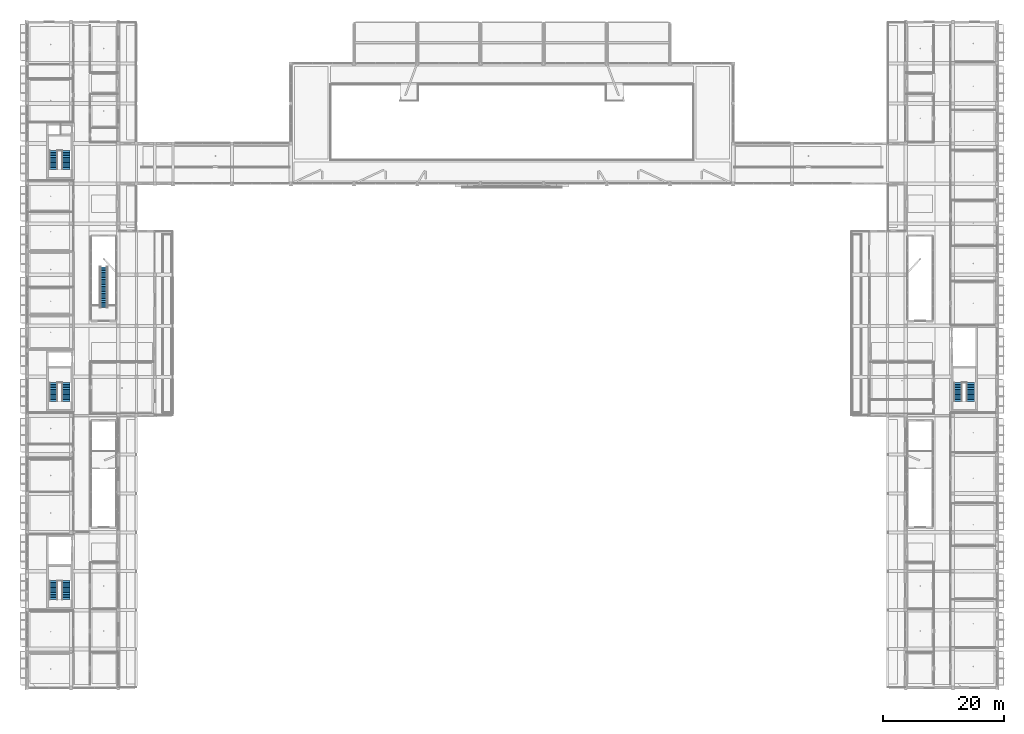
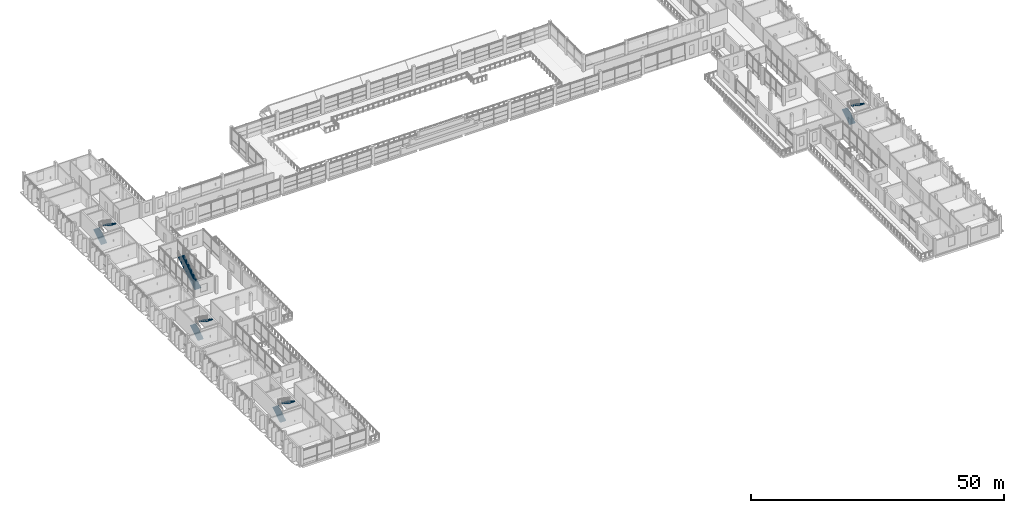
# One storey, part 56 of 85: 9 stair flights, 5 elements without a shape of their own.
"""IFC4 building model written with IfcOpenShell, lengths in metres."""

from ifc_helpers import new_model, si_unit, derived_unit, direction, frame, origin, place, context, subcontext, project, spatial, polyline, outline, extrude, material, type_object, element, aggregate, save


model = new_model("IFC4")

# Units and contexts
model_context = context("Model", 3, precision=1e-05, world=origin(), true_north=direction((0.0, 1.0)))
body_context = subcontext(model_context, "Body", "Model", "MODEL_VIEW")
ifc_project = project(units=[si_unit("LENGTHUNIT", "METRE"), si_unit("AREAUNIT", "SQUARE_METRE"), si_unit("VOLUMEUNIT", "CUBIC_METRE"), si_unit("PLANEANGLEUNIT", "RADIAN"), si_unit("MASSUNIT", "GRAM", prefix="KILO"), derived_unit("THERMALTRANSMITTANCEUNIT", [(si_unit("POWERUNIT", "WATT"), 1), (si_unit("LENGTHUNIT", "METRE"), -2), (si_unit("THERMODYNAMICTEMPERATUREUNIT", "KELVIN"), -1)])], contexts=[model_context])

# Site, building, storey
site_placement = place(None, origin())
site = spatial("IfcSite", under=ifc_project, at=site_placement, CompositionType="ELEMENT")
building_placement = place(site_placement, origin())
building = spatial("IfcBuilding", under=site, at=building_placement, Name="Braskholm Square Health Centre", CompositionType="ELEMENT")
storey_placement = place(building_placement, frame((0.0, 0.0, 9.300048828125)))
storey = spatial("IfcBuildingStorey", under=building, at=storey_placement, Name="L03", CompositionType="ELEMENT", Elevation=9.300048828125)

# Stair, stair flights
ifc_material = material(Name="Concrete C35/45 (f'c = 35 MPa)", Category="concrete")
stair_type_1 = type_object("IfcStairType", Name="ExitReturnStairL03", PredefinedType="HALF_TURN_STAIR", material=ifc_material)
stair_1_placement = place(storey_placement, origin())
stair_1 = element("IfcStair", 1, at=stair_1_placement, inside=storey, type_object=stair_type_1, Name="Enclosed exit stair ST-01 L03 to L04", PredefinedType="HALF_TURN_STAIR")
stair_flight_type_1 = type_object("IfcStairFlightType", Name="ExitStairFlightL03", PredefinedType="STRAIGHT", material=ifc_material)
stair_flight_1_placement = place(storey_placement, frame((8.510009765625, 18.760009765625, 0.0), z_axis=(0.0, 0.0, 1.0), x_axis=(0.0, 1.0, 0.0)))
stair_flight_1 = element("IfcStairFlight", 2, at=stair_flight_1_placement, type_object=stair_flight_type_1, Name="Stair ST-01 lower flight L03", NumberOfRisers=12, NumberOfTreads=11, PredefinedType="STRAIGHT", RiserHeight=0.175, TreadLength=0.28, context=body_context, shape_type="SweptSolid", body=[
    extrude(outline(polyline([(0.0, 0.0), (0.0, 0.175048828125), (0.280029296875, 0.175048828125), (0.280029296875, 0.35009765625), (0.56005859375, 0.35009765625), (0.56005859375, 0.52490234375), (0.840087890625, 0.52490234375), (0.840087890625, 0.699951171875), (1.1201171875, 0.699951171875), (1.1201171875, 0.875), (1.39990234375, 0.875), (1.39990234375, 1.050048828125), (1.679931640625, 1.050048828125), (1.679931640625, 1.22509765625), (1.9599609375, 1.22509765625), (1.9599609375, 1.39990234375), (2.239990234375, 1.39990234375), (2.239990234375, 1.574951171875), (2.52001953125, 1.574951171875), (2.52001953125, 1.75), (2.800048828125, 1.75), (2.800048828125, 1.925048828125), (3.080078125, 1.925048828125), (3.080078125, 2.10009765625), (3.080078125, 1.736328125), (0.3017578125, 0.0), (0.0, 0.0)])), frame((0.0, 0.66015625, 0.0), z_axis=(0.0, -1.0, 0.0), x_axis=(1.0, 0.0, 0.0)), (0.0, 0.0, 1.0), 1.320068359375),
])
stair_flight_2_placement = place(storey_placement, frame((10.590087890625, 21.840087890625, 2.099853515625), z_axis=(0.0, 0.0, 1.0), x_axis=(0.0, -1.0, 0.0)))
stair_flight_2 = element("IfcStairFlight", 3, at=stair_flight_2_placement, type_object=stair_flight_type_1, Name="Stair ST-01 upper flight L03", NumberOfRisers=12, NumberOfTreads=11, PredefinedType="STRAIGHT", RiserHeight=0.175, TreadLength=0.28, context=body_context, shape_type="SweptSolid", body=[
    extrude(outline(polyline([(0.0, 0.0), (0.0, 0.175048828125), (0.280029296875, 0.175048828125), (0.280029296875, 0.35009765625), (0.56005859375, 0.35009765625), (0.56005859375, 0.52490234375), (0.840087890625, 0.52490234375), (0.840087890625, 0.699951171875), (1.1201171875, 0.699951171875), (1.1201171875, 0.875), (1.39990234375, 0.875), (1.39990234375, 1.050048828125), (1.679931640625, 1.050048828125), (1.679931640625, 1.22509765625), (1.9599609375, 1.22509765625), (1.9599609375, 1.39990234375), (2.239990234375, 1.39990234375), (2.239990234375, 1.574951171875), (2.52001953125, 1.574951171875), (2.52001953125, 1.75), (2.800048828125, 1.75), (2.800048828125, 1.925048828125), (3.080078125, 1.925048828125), (3.080078125, 2.10009765625), (3.080078125, 1.736328125), (0.3017578125, 0.0), (0.0, 0.0)])), frame((0.0, 0.66015625, 0.0), z_axis=(0.0, -1.0, 0.0), x_axis=(1.0, 0.0, 0.0)), (0.0, 0.0, 1.0), 1.320068359375),
])
aggregate(stair_1, [stair_flight_1, stair_flight_2])

stair_2_placement = place(storey_placement, origin())
stair_2 = element("IfcStair", 4, at=stair_2_placement, inside=storey, type_object=stair_type_1, Name="Enclosed exit stair ST-02 L03 to L04", PredefinedType="HALF_TURN_STAIR")
stair_flight_3_placement = place(storey_placement, frame((8.510009765625, 51.360107421875, 0.0), z_axis=(0.0, 0.0, 1.0), x_axis=(0.0, 1.0, 0.0)))
stair_flight_3 = element("IfcStairFlight", 5, at=stair_flight_3_placement, type_object=stair_flight_type_1, Name="Stair ST-02 lower flight L03", NumberOfRisers=12, NumberOfTreads=11, PredefinedType="STRAIGHT", RiserHeight=0.175, TreadLength=0.28, context=body_context, shape_type="SweptSolid", body=[
    extrude(outline(polyline([(0.0, 0.0), (0.0, 0.175048828125), (0.280029296875, 0.175048828125), (0.280029296875, 0.35009765625), (0.56005859375, 0.35009765625), (0.56005859375, 0.52490234375), (0.840087890625, 0.52490234375), (0.840087890625, 0.699951171875), (1.1201171875, 0.699951171875), (1.1201171875, 0.875), (1.39990234375, 0.875), (1.39990234375, 1.050048828125), (1.679931640625, 1.050048828125), (1.679931640625, 1.22509765625), (1.9599609375, 1.22509765625), (1.9599609375, 1.39990234375), (2.239990234375, 1.39990234375), (2.239990234375, 1.574951171875), (2.52001953125, 1.574951171875), (2.52001953125, 1.75), (2.800048828125, 1.75), (2.800048828125, 1.925048828125), (3.080078125, 1.925048828125), (3.080078125, 2.10009765625), (3.080078125, 1.736328125), (0.3017578125, 0.0), (0.0, 0.0)])), frame((0.0, 0.66015625, 0.0), z_axis=(0.0, -1.0, 0.0), x_axis=(1.0, 0.0, 0.0)), (0.0, 0.0, 1.0), 1.320068359375),
])
stair_flight_4_placement = place(storey_placement, frame((10.590087890625, 54.43994140625, 2.099853515625), z_axis=(0.0, 0.0, 1.0), x_axis=(0.0, -1.0, 0.0)))
stair_flight_4 = element("IfcStairFlight", 6, at=stair_flight_4_placement, type_object=stair_flight_type_1, Name="Stair ST-02 upper flight L03", NumberOfRisers=12, NumberOfTreads=11, PredefinedType="STRAIGHT", RiserHeight=0.175, TreadLength=0.28, context=body_context, shape_type="SweptSolid", body=[
    extrude(outline(polyline([(0.0, 0.0), (0.0, 0.175048828125), (0.280029296875, 0.175048828125), (0.280029296875, 0.35009765625), (0.56005859375, 0.35009765625), (0.56005859375, 0.52490234375), (0.840087890625, 0.52490234375), (0.840087890625, 0.699951171875), (1.1201171875, 0.699951171875), (1.1201171875, 0.875), (1.39990234375, 0.875), (1.39990234375, 1.050048828125), (1.679931640625, 1.050048828125), (1.679931640625, 1.22509765625), (1.9599609375, 1.22509765625), (1.9599609375, 1.39990234375), (2.239990234375, 1.39990234375), (2.239990234375, 1.574951171875), (2.52001953125, 1.574951171875), (2.52001953125, 1.75), (2.800048828125, 1.75), (2.800048828125, 1.925048828125), (3.080078125, 1.925048828125), (3.080078125, 2.10009765625), (3.080078125, 1.736328125), (0.3017578125, 0.0), (0.0, 0.0)])), frame((0.0, 0.66015625, 0.0), z_axis=(0.0, -1.0, 0.0), x_axis=(1.0, 0.0, 0.0)), (0.0, 0.0, 1.0), 1.320068359375),
])
aggregate(stair_2, [stair_flight_3, stair_flight_4])

stair_3_placement = place(storey_placement, origin())
stair_3 = element("IfcStair", 7, at=stair_3_placement, inside=storey, type_object=stair_type_1, Name="Enclosed exit stair ST-03 L03 to L04", PredefinedType="HALF_TURN_STAIR")
stair_flight_5_placement = place(storey_placement, frame((8.510009765625, 89.56005859375, 0.0), z_axis=(0.0, 0.0, 1.0), x_axis=(0.0, 1.0, 0.0)))
stair_flight_5 = element("IfcStairFlight", 8, at=stair_flight_5_placement, type_object=stair_flight_type_1, Name="Stair ST-03 lower flight L03", NumberOfRisers=12, NumberOfTreads=11, PredefinedType="STRAIGHT", RiserHeight=0.175, TreadLength=0.28, context=body_context, shape_type="SweptSolid", body=[
    extrude(outline(polyline([(0.0, 0.0), (0.0, 0.175048828125), (0.280029296875, 0.175048828125), (0.280029296875, 0.35009765625), (0.56005859375, 0.35009765625), (0.56005859375, 0.52490234375), (0.840087890625, 0.52490234375), (0.840087890625, 0.699951171875), (1.1201171875, 0.699951171875), (1.1201171875, 0.875), (1.39990234375, 0.875), (1.39990234375, 1.050048828125), (1.679931640625, 1.050048828125), (1.679931640625, 1.22509765625), (1.9599609375, 1.22509765625), (1.9599609375, 1.39990234375), (2.239990234375, 1.39990234375), (2.239990234375, 1.574951171875), (2.52001953125, 1.574951171875), (2.52001953125, 1.75), (2.800048828125, 1.75), (2.800048828125, 1.925048828125), (3.080078125, 1.925048828125), (3.080078125, 2.10009765625), (3.080078125, 1.736328125), (0.3017578125, 0.0), (0.0, 0.0)])), frame((0.0, 0.66015625, 0.0), z_axis=(0.0, -1.0, 0.0), x_axis=(1.0, 0.0, 0.0)), (0.0, 0.0, 1.0), 1.320068359375),
])
stair_flight_6_placement = place(storey_placement, frame((10.590087890625, 92.639892578125, 2.099853515625), z_axis=(0.0, 0.0, 1.0), x_axis=(0.0, -1.0, 0.0)))
stair_flight_6 = element("IfcStairFlight", 9, at=stair_flight_6_placement, type_object=stair_flight_type_1, Name="Stair ST-03 upper flight L03", NumberOfRisers=12, NumberOfTreads=11, PredefinedType="STRAIGHT", RiserHeight=0.175, TreadLength=0.28, context=body_context, shape_type="SweptSolid", body=[
    extrude(outline(polyline([(0.0, 0.0), (0.0, 0.175048828125), (0.280029296875, 0.175048828125), (0.280029296875, 0.35009765625), (0.56005859375, 0.35009765625), (0.56005859375, 0.52490234375), (0.840087890625, 0.52490234375), (0.840087890625, 0.699951171875), (1.1201171875, 0.699951171875), (1.1201171875, 0.875), (1.39990234375, 0.875), (1.39990234375, 1.050048828125), (1.679931640625, 1.050048828125), (1.679931640625, 1.22509765625), (1.9599609375, 1.22509765625), (1.9599609375, 1.39990234375), (2.239990234375, 1.39990234375), (2.239990234375, 1.574951171875), (2.52001953125, 1.574951171875), (2.52001953125, 1.75), (2.800048828125, 1.75), (2.800048828125, 1.925048828125), (3.080078125, 1.925048828125), (3.080078125, 2.10009765625), (3.080078125, 1.736328125), (0.3017578125, 0.0), (0.0, 0.0)])), frame((0.0, 0.66015625, 0.0), z_axis=(0.0, -1.0, 0.0), x_axis=(1.0, 0.0, 0.0)), (0.0, 0.0, 1.0), 1.320068359375),
])
aggregate(stair_3, [stair_flight_5, stair_flight_6])

stair_4_placement = place(storey_placement, origin())
stair_4 = element("IfcStair", 10, at=stair_4_placement, inside=storey, type_object=stair_type_1, Name="Enclosed exit stair ST-04 L03 to L04", PredefinedType="HALF_TURN_STAIR")
stair_flight_7_placement = place(storey_placement, frame((157.409912109375, 51.360107421875, 0.0), z_axis=(0.0, 0.0, 1.0), x_axis=(0.0, 1.0, 0.0)))
stair_flight_7 = element("IfcStairFlight", 11, at=stair_flight_7_placement, type_object=stair_flight_type_1, Name="Stair ST-04 lower flight L03", NumberOfRisers=12, NumberOfTreads=11, PredefinedType="STRAIGHT", RiserHeight=0.175, TreadLength=0.28, context=body_context, shape_type="SweptSolid", body=[
    extrude(outline(polyline([(0.0, 0.0), (0.0, 0.175048828125), (0.280029296875, 0.175048828125), (0.280029296875, 0.35009765625), (0.56005859375, 0.35009765625), (0.56005859375, 0.52490234375), (0.840087890625, 0.52490234375), (0.840087890625, 0.699951171875), (1.1201171875, 0.699951171875), (1.1201171875, 0.875), (1.39990234375, 0.875), (1.39990234375, 1.050048828125), (1.679931640625, 1.050048828125), (1.679931640625, 1.22509765625), (1.9599609375, 1.22509765625), (1.9599609375, 1.39990234375), (2.239990234375, 1.39990234375), (2.239990234375, 1.574951171875), (2.52001953125, 1.574951171875), (2.52001953125, 1.75), (2.800048828125, 1.75), (2.800048828125, 1.925048828125), (3.080078125, 1.925048828125), (3.080078125, 2.10009765625), (3.080078125, 1.736328125), (0.3017578125, 0.0), (0.0, 0.0)])), frame((0.0, 0.66015625, 0.0), z_axis=(0.0, -1.0, 0.0), x_axis=(1.0, 0.0, 0.0)), (0.0, 0.0, 1.0), 1.320068359375),
])
stair_flight_8_placement = place(storey_placement, frame((159.489990234375, 54.43994140625, 2.099853515625), z_axis=(0.0, 0.0, 1.0), x_axis=(0.0, -1.0, 0.0)))
stair_flight_8 = element("IfcStairFlight", 12, at=stair_flight_8_placement, type_object=stair_flight_type_1, Name="Stair ST-04 upper flight L03", NumberOfRisers=12, NumberOfTreads=11, PredefinedType="STRAIGHT", RiserHeight=0.175, TreadLength=0.28, context=body_context, shape_type="SweptSolid", body=[
    extrude(outline(polyline([(0.0, 0.0), (0.0, 0.175048828125), (0.280029296875, 0.175048828125), (0.280029296875, 0.35009765625), (0.56005859375, 0.35009765625), (0.56005859375, 0.52490234375), (0.840087890625, 0.52490234375), (0.840087890625, 0.699951171875), (1.1201171875, 0.699951171875), (1.1201171875, 0.875), (1.39990234375, 0.875), (1.39990234375, 1.050048828125), (1.679931640625, 1.050048828125), (1.679931640625, 1.22509765625), (1.9599609375, 1.22509765625), (1.9599609375, 1.39990234375), (2.239990234375, 1.39990234375), (2.239990234375, 1.574951171875), (2.52001953125, 1.574951171875), (2.52001953125, 1.75), (2.800048828125, 1.75), (2.800048828125, 1.925048828125), (3.080078125, 1.925048828125), (3.080078125, 2.10009765625), (3.080078125, 1.736328125), (0.3017578125, 0.0), (0.0, 0.0)])), frame((0.0, 0.66015625, 0.0), z_axis=(0.0, -1.0, 0.0), x_axis=(1.0, 0.0, 0.0)), (0.0, 0.0, 1.0), 1.320068359375),
])
aggregate(stair_4, [stair_flight_7, stair_flight_8])

# Stair, stair flight
stair_type_2 = type_object("IfcStairType", Name="StraightRunStairTerraceStepA", PredefinedType="STRAIGHT_RUN_STAIR", material=ifc_material)
stair_5_placement = place(storey_placement, origin())
stair_5 = element("IfcStair", 13, at=stair_5_placement, inside=storey, type_object=stair_type_2, Name="Enclosed atrium feature stair ST-09", PredefinedType="STRAIGHT_RUN_STAIR")
stair_flight_type_2 = type_object("IfcStairFlightType", Name="StraightFlightTerraceStepA", PredefinedType="STRAIGHT", material=ifc_material)
stair_flight_9_placement = place(storey_placement, frame((16.800048828125, 66.800048828125, 0.0), z_axis=(0.0, 0.0, 1.0), x_axis=(0.0, 1.0, 0.0)))
stair_flight_9 = element("IfcStairFlight", 14, at=stair_flight_9_placement, type_object=stair_flight_type_2, Name="Stair ST-09 straight flight", NumberOfRisers=24, NumberOfTreads=23, PredefinedType="STRAIGHT", RiserHeight=0.175, TreadLength=0.29, context=body_context, shape_type="SweptSolid", body=[
    extrude(outline(polyline([(0.0, 0.0), (0.0, 0.175048828125), (0.2900390625, 0.175048828125), (0.2900390625, 0.35009765625), (0.580078125, 0.35009765625), (0.580078125, 0.52490234375), (0.8701171875, 0.52490234375), (0.8701171875, 0.699951171875), (1.159912109375, 0.699951171875), (1.159912109375, 0.875), (1.449951171875, 0.875), (1.449951171875, 1.050048828125), (1.739990234375, 1.050048828125), (1.739990234375, 1.22509765625), (2.030029296875, 1.22509765625), (2.030029296875, 1.39990234375), (2.320068359375, 1.39990234375), (2.320068359375, 1.574951171875), (2.610107421875, 1.574951171875), (2.610107421875, 1.75), (2.89990234375, 1.75), (2.89990234375, 1.925048828125), (3.18994140625, 1.925048828125), (3.18994140625, 2.10009765625), (3.47998046875, 2.10009765625), (3.47998046875, 2.27490234375), (3.77001953125, 2.27490234375), (3.77001953125, 2.449951171875), (4.06005859375, 2.449951171875), (4.06005859375, 2.625), (4.35009765625, 2.625), (4.35009765625, 2.800048828125), (4.639892578125, 2.800048828125), (4.639892578125, 2.97509765625), (4.929931640625, 2.97509765625), (4.929931640625, 3.14990234375), (5.219970703125, 3.14990234375), (5.219970703125, 3.324951171875), (5.510009765625, 3.324951171875), (5.510009765625, 3.5), (5.800048828125, 3.5), (5.800048828125, 3.675048828125), (6.090087890625, 3.675048828125), (6.090087890625, 3.85009765625), (6.3798828125, 3.85009765625), (6.3798828125, 4.02490234375), (6.669921875, 4.02490234375), (6.669921875, 4.199951171875), (6.669921875, 3.81494140625), (0.34814453125, 0.0), (0.0, 0.0)])), frame((0.0, 0.719970703125, 0.0), z_axis=(0.0, -1.0, 0.0), x_axis=(1.0, 0.0, 0.0)), (0.0, 0.0, 1.0), 1.43994140625),
])
aggregate(stair_5, [stair_flight_9])

save(model, "model.ifc")
